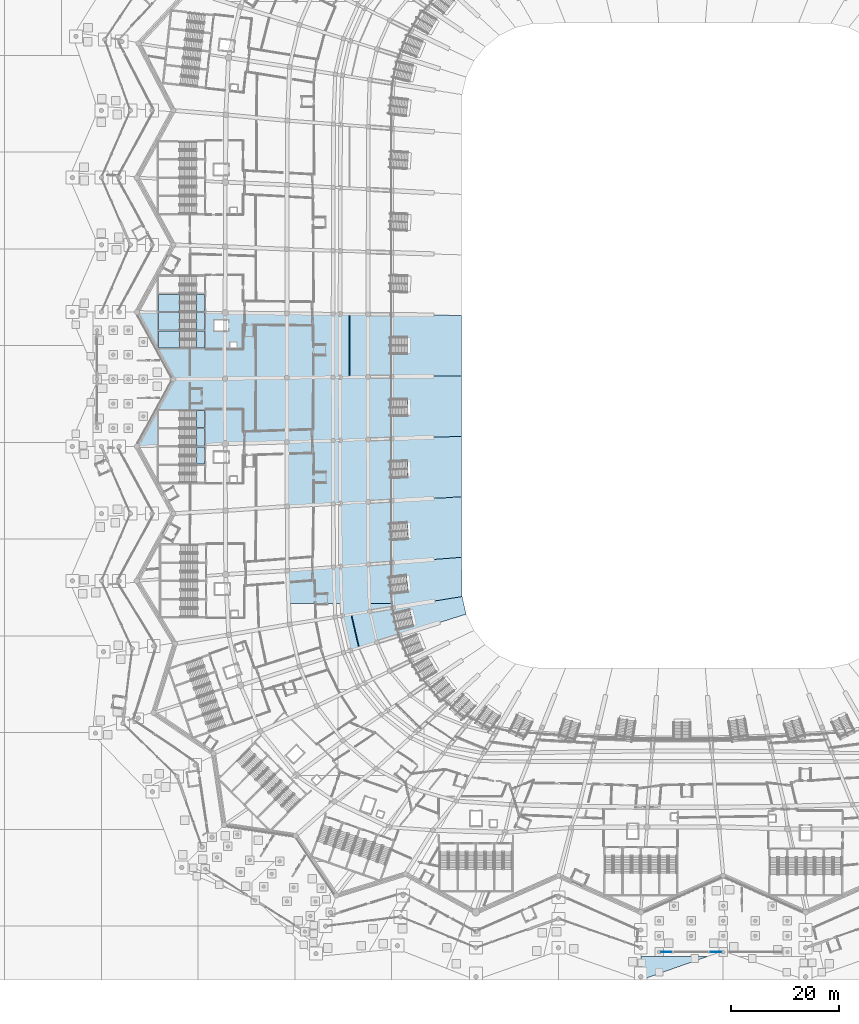
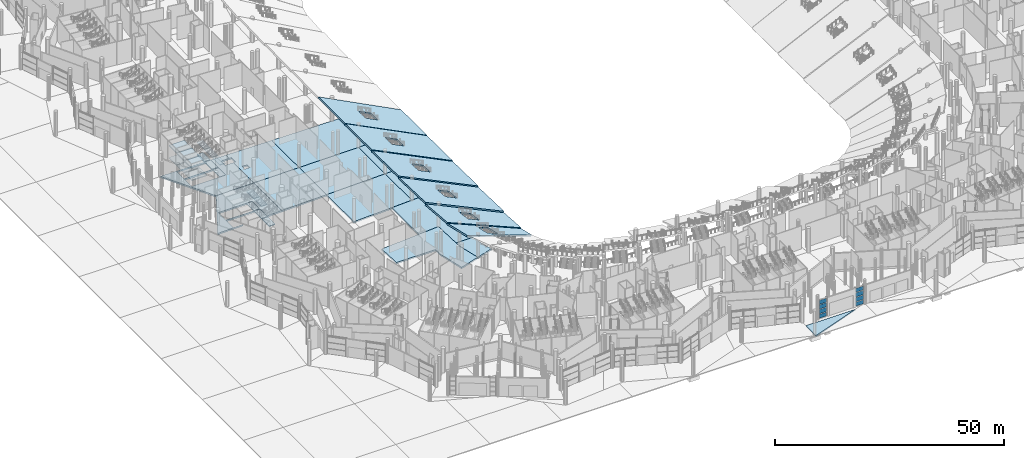
# One storey, part 76 of 255: 36 slabs, 8 plates, 8 elements without a shape of their own.
"""IFC4 building model written with IfcOpenShell, lengths in metres."""

from ifc_helpers import new_model, si_unit, direction, frame, origin, origin_2d, place, context, subcontext, project, spatial, polyline, rectangle, outline, extrude, material, layer, layer_set, type_object, element, aggregate, save


model = new_model("IFC4")

# Units and contexts
model_context = context("Model", 3, precision=1e-05, world=origin(), true_north=direction((0.0, 1.0)))
body_context = subcontext(model_context, "Body", "Model", "MODEL_VIEW")
ifc_project = project(units=[si_unit("LENGTHUNIT", "METRE"), si_unit("AREAUNIT", "SQUARE_METRE"), si_unit("VOLUMEUNIT", "CUBIC_METRE"), si_unit("PLANEANGLEUNIT", "RADIAN"), si_unit("MASSUNIT", "GRAM", prefix="KILO")], contexts=[model_context])

# Site, building, storey
site_placement = place(None, origin())
site = spatial("IfcSite", under=ifc_project, at=site_placement, CompositionType="ELEMENT")
building_placement = place(site_placement, origin())
building = spatial("IfcBuilding", under=site, at=building_placement, Name="Meseta Stadium", CompositionType="ELEMENT")
storey_placement = place(building_placement, origin())
storey = spatial("IfcBuildingStorey", under=building, at=storey_placement, Name="L00", CompositionType="ELEMENT", Elevation=0.0)

# Slabs
ifc_material_1 = material(Name="Concrete C40/50", Category="concrete")
ifc_layer_1 = layer(ifc_material_1, 0.39990234375)
ifc_layer_set_1 = layer_set([ifc_layer_1], Name="Floor slab 400")
slab_type_1 = type_object("IfcSlabType", Name="Floor slab 400", PredefinedType="FLOOR", material=ifc_layer_set_1)
slab_1_placement = place(storey_placement, frame((0.0, 0.0, -0.39990234375)))
element("IfcSlab", 1, at=slab_1_placement, inside=storey, type_object=slab_type_1, Name="Floor slab L00 sector 28 panel 01", PredefinedType="FLOOR", context=body_context, shape_type="SweptSolid", body=[
    extrude(outline(polyline([(-88.8798828125, 6.14990234375), (-101.3798828125, 6.287109375), (-101.39990234375, 6.25), (-94.6201171875, -6.212890625), (-84.9970703125, -6.107421875), (-84.997314453125, 2.800048828125), (-87.0, 2.800048828125), (-87.0, 4.699951171875), (-84.99755859375, 4.699951171875), (-84.99755859375, 6.107421875), (-88.800048828125, 6.149169921875), (-88.800048828125, 2.949951171875), (-97.39990234375, 2.949951171875), (-97.39990234375, 6.14990234375), (-88.8798828125, 6.14990234375)]), holes=[polyline([(-88.800048828125, 2.75), (-88.800048828125, -0.449951171875), (-97.39990234375, -0.449951171875), (-97.39990234375, 2.75), (-88.800048828125, 2.75)])]), origin(), (0.0, 0.0, 1.0), 0.39990234375),
])
slab_2_placement = place(storey_placement, frame((0.0, 0.0, -0.39990234375)))
element("IfcSlab", 2, at=slab_2_placement, inside=storey, type_object=slab_type_1, Name="Floor slab L00 sector 28 panel 05", PredefinedType="FLOOR", context=body_context, shape_type="SweptSolid", body=[
    extrude(outline(polyline([(-84.9970703125, -6.107421875), (-94.6201171875, -6.212890625), (-94.60009765625, -6.25), (-101.39990234375, -18.75), (-101.340087890625, -18.85986328125), (-94.9599609375, -18.64990234375), (-97.39990234375, -18.64990234375), (-97.39990234375, -15.449951171875), (-88.800048828125, -15.449951171875), (-88.800048828125, -18.447509765625), (-84.978515625, -18.32177734375), (-84.9970703125, -6.107421875)]), holes=[polyline([(-88.800048828125, -12.050048828125), (-88.800048828125, -15.25), (-97.39990234375, -15.25), (-97.39990234375, -12.050048828125), (-88.800048828125, -12.050048828125)])]), origin(), (0.0, 0.0, 1.0), 0.39990234375),
])
slab_3_placement = place(storey_placement, frame((0.0, 0.0, -0.39990234375)))
element("IfcSlab", 3, at=slab_3_placement, inside=storey, type_object=slab_type_1, Name="Floor slab L00 sector 28 panel 09", PredefinedType="FLOOR", context=body_context, shape_type="SweptSolid", body=[
    extrude(outline(polyline([(-84.978271484375, -18.32177734375), (-73.482421875, -17.943603515625), (-73.498046875, -5.981201171875), (-84.9970703125, -6.107421875), (-84.978271484375, -18.32177734375)])), origin(), (0.0, 0.0, 1.0), 0.39990234375),
])
slab_4_placement = place(storey_placement, frame((0.0, 0.0, -0.39990234375)))
element("IfcSlab", 4, at=slab_4_placement, inside=storey, type_object=slab_type_1, Name="Floor slab L00 sector 28 panel 11", PredefinedType="FLOOR", context=body_context, shape_type="SweptSolid", body=[
    extrude(outline(polyline([(-73.498046875, 5.981201171875), (-84.99755859375, 6.107421875), (-84.99755859375, 4.699951171875), (-84.39990234375, 4.699951171875), (-84.39990234375, 2.800048828125), (-84.997314453125, 2.800048828125), (-84.9970703125, -6.107421875), (-73.498046875, -5.981201171875), (-73.498046875, 5.981201171875)]), holes=[polyline([(-82.85009765625, -0.60009765625), (-84.050048828125, -0.60009765625), (-84.050048828125, 0.60009765625), (-82.85009765625, 0.60009765625), (-82.85009765625, -0.60009765625)])]), origin(), (0.0, 0.0, 1.0), 0.39990234375),
])
slab_5_placement = place(storey_placement, frame((0.0, 0.0, -0.39990234375)))
element("IfcSlab", 5, at=slab_5_placement, inside=storey, type_object=slab_type_1, Name="Floor slab L00 sector 28 panel 15", PredefinedType="FLOOR", context=body_context, shape_type="SweptSolid", body=[
    extrude(outline(polyline([(-73.498046875, -5.981201171875), (-73.482421875, -17.943603515625), (-58.390625, -17.447021484375), (-58.39892578125, -5.81591796875), (-73.498046875, -5.981201171875)])), origin(), (0.0, 0.0, 1.0), 0.39990234375),
])
slab_6_placement = place(storey_placement, frame((0.0, 0.0, -0.39990234375)))
element("IfcSlab", 6, at=slab_6_placement, inside=storey, type_object=slab_type_1, Name="Floor slab L00 sector 28 panel 17", PredefinedType="FLOOR", context=body_context, shape_type="SweptSolid", body=[
    extrude(outline(polyline([(-58.390625, -17.447021484375), (-73.482421875, -17.943603515625), (-73.451416015625, -29.89404296875), (-58.373779296875, -29.0673828125), (-58.390625, -17.447021484375)])), origin(), (0.0, 0.0, 1.0), 0.39990234375),
])
slab_7_placement = place(storey_placement, frame((0.0, 0.0, -0.39990234375)))
element("IfcSlab", 7, at=slab_7_placement, inside=storey, type_object=slab_type_1, Name="Floor slab L00 sector 28 panel 20", PredefinedType="FLOOR", context=body_context, shape_type="SweptSolid", body=[
    extrude(outline(polyline([(-53.999267578125, 5.767578125), (-73.498046875, 5.981201171875), (-73.498046875, -5.981201171875), (-53.999267578125, -5.767578125), (-53.999267578125, 5.767578125)])), origin(), (0.0, 0.0, 1.0), 0.39990234375),
])
slab_8_placement = place(storey_placement, frame((0.0, 0.0, -0.39990234375)))
element("IfcSlab", 8, at=slab_8_placement, inside=storey, type_object=slab_type_1, Name="Floor slab L00 sector 28 panel 22", PredefinedType="FLOOR", context=body_context, shape_type="SweptSolid", body=[
    extrude(outline(polyline([(-53.992919921875, -17.302490234375), (-53.999267578125, -5.767578125), (-58.39892578125, -5.81591796875), (-58.390625, -17.447021484375), (-53.992919921875, -17.302490234375)])), origin(), (0.0, 0.0, 1.0), 0.39990234375),
])
slab_9_placement = place(storey_placement, frame((0.0, 0.0, -0.39990234375)))
element("IfcSlab", 9, at=slab_9_placement, inside=storey, type_object=slab_type_1, Name="Floor slab L00 sector 28 panel 24", PredefinedType="FLOOR", context=body_context, shape_type="SweptSolid", body=[
    extrude(outline(polyline([(-58.373779296875, -29.0673828125), (-53.98046875, -28.82666015625), (-53.992919921875, -17.302490234375), (-58.390625, -17.447021484375), (-58.373779296875, -29.0673828125)])), origin(), (0.0, 0.0, 1.0), 0.39990234375),
])
slab_10_placement = place(storey_placement, frame((0.0, 0.0, -0.39990234375)))
element("IfcSlab", 10, at=slab_10_placement, inside=storey, type_object=slab_type_1, Name="Floor slab L00 sector 35 panel 15", PredefinedType="FLOOR", context=body_context, shape_type="SweptSolid", body=[
    extrude(outline(polyline([(-73.151123046875, -48.0), (-63.29638671875, -48.0), (-63.21826171875, -50.27294921875), (-61.72314453125, -56.715576171875), (-56.76123046875, -55.159912109375), (-58.084228515625, -49.4462890625), (-58.34912109375, -40.70654296875), (-73.40478515625, -41.8623046875), (-73.151123046875, -48.0)])), origin(), (0.0, 0.0, 1.0), 0.39990234375),
])
slab_11_placement = place(storey_placement, frame((0.0, 0.0, -0.39990234375)))
element("IfcSlab", 11, at=slab_11_placement, inside=storey, type_object=slab_type_1, Name="Floor slab L00 sector 35 panel 16", PredefinedType="FLOOR", context=body_context, shape_type="SweptSolid", body=[
    extrude(outline(polyline([(-53.9501953125, -46.135986328125), (-53.9619140625, -40.369873046875), (-53.98046875, -28.8466796875), (-63.566162109375, -29.372314453125), (-63.53369140625, -41.1044921875), (-58.34912109375, -40.70654296875), (-58.128173828125, -48.0), (-53.824951171875, -48.0), (-53.838623046875, -47.87890625), (-53.90869140625, -47.00830078125), (-53.9501953125, -46.135986328125)])), origin(), (0.0, 0.0, 1.0), 0.39990234375),
])
slab_12_placement = place(storey_placement, frame((0.0, 0.0, -0.39990234375)))
element("IfcSlab", 12, at=slab_12_placement, inside=storey, type_object=slab_type_1, Name="Floor slab L00 sector 35 panel 19", PredefinedType="FLOOR", context=body_context, shape_type="SweptSolid", body=[
    extrude(outline(polyline([(-53.824951171875, -48.0), (-58.128173828125, -48.0), (-58.084228515625, -49.4462890625), (-56.76123046875, -55.159912109375), (-52.562744140625, -53.843505859375), (-52.827880859375, -53.011474609375), (-53.06591796875, -52.17138671875), (-53.2763671875, -51.32373046875), (-53.458984375, -50.469970703125), (-53.61376953125, -49.610595703125), (-53.740234375, -48.74658203125), (-53.824951171875, -48.0)])), origin(), (0.0, 0.0, 1.0), 0.39990234375),
])
ifc_material_2 = material(Name="Concrete C40/50", Category="concrete")
ifc_layer_2 = layer(ifc_material_2, 0.300048828125)
ifc_layer_set_2 = layer_set([ifc_layer_2], Name="Gate court paving 300")
slab_type_2 = type_object("IfcSlabType", Name="Gate court paving 300", PredefinedType="FLOOR", material=ifc_layer_set_2)
slab_13_placement = place(storey_placement, frame((0.0, 0.0, -0.300048828125)))
element("IfcSlab", 13, at=slab_13_placement, inside=storey, type_object=slab_type_2, Name="Gate 7 court paving", PredefinedType="FLOOR", context=body_context, shape_type="SweptSolid", body=[
    extrude(outline(polyline([(-7.666748046875, -113.60009765625), (-7.666748046875, -118.0), (7.666748046875, -112.60009765625), (4.8271484375, -113.60009765625), (-7.666748046875, -113.60009765625)])), origin(), (0.0, 0.0, 1.0), 0.300048828125),
])

# Curtain wall, plates
ifc_material_3 = material(Name="Aluminium", Category="aluminium")
ifc_layer_3 = layer(ifc_material_3, 0.199951171875)
ifc_layer_set_3 = layer_set([ifc_layer_3], Name="Gate hall curtain wall")
curtain_wall_type = type_object("IfcCurtainWallType", Name="Gate hall curtain wall", PredefinedType="NOTDEFINED", material=ifc_layer_set_3)
curtain_wall_1_placement = place(storey_placement, origin())
curtain_wall_1 = element("IfcCurtainWall", 14, at=curtain_wall_1_placement, inside=storey, type_object=curtain_wall_type, Name="Gate 7 glazing", PredefinedType="NOTDEFINED")
ifc_material_4 = material(Name="Glass", Category="glass")
ifc_layer_4 = layer(ifc_material_4, 0.035888671875)
ifc_layer_set_4 = layer_set([ifc_layer_4], Name="Ring CW glass panel 36")
plate_type = type_object("IfcPlateType", Name="Ring CW glass panel 36", PredefinedType="CURTAIN_PANEL", material=ifc_layer_set_4)
plate_1_placement = place(storey_placement, frame((-2.933349609375, -112.800048828125, 0.14990234375), z_axis=(0.0, 0.0, 1.0), x_axis=(1.0, 0.0, 0.0)))
plate_1 = element("IfcPlate", 15, at=plate_1_placement, type_object=plate_type, Name="CWG1 panel 1.1", PredefinedType="CURTAIN_PANEL", context=body_context, shape_type="SweptSolid", body=[
    extrude(rectangle(XDim=1.94677734375, YDim=0.035888671875, at=origin_2d()), origin(), (0.0, 0.0, 1.0), 1.03759765625),
])
plate_2_placement = place(storey_placement, frame((-2.933349609375, -112.800048828125, 1.33740234375), z_axis=(0.0, 0.0, 1.0), x_axis=(1.0, 0.0, 0.0)))
plate_2 = element("IfcPlate", 16, at=plate_2_placement, type_object=plate_type, Name="CWG1 panel 1.2", PredefinedType="CURTAIN_PANEL", context=body_context, shape_type="SweptSolid", body=[
    extrude(rectangle(XDim=1.94677734375, YDim=0.035888671875, at=origin_2d()), origin(), (0.0, 0.0, 1.0), 1.112548828125),
])
plate_3_placement = place(storey_placement, frame((-2.933349609375, -112.800048828125, 2.60009765625), z_axis=(0.0, 0.0, 1.0), x_axis=(1.0, 0.0, 0.0)))
plate_3 = element("IfcPlate", 17, at=plate_3_placement, type_object=plate_type, Name="CWG1 panel 1.3", PredefinedType="CURTAIN_PANEL", context=body_context, shape_type="SweptSolid", body=[
    extrude(rectangle(XDim=1.94677734375, YDim=0.035888671875, at=origin_2d()), origin(), (0.0, 0.0, 1.0), 1.112548828125),
])
plate_4_placement = place(storey_placement, frame((-2.933349609375, -112.800048828125, 3.862548828125), z_axis=(0.0, 0.0, 1.0), x_axis=(1.0, 0.0, 0.0)))
plate_4 = element("IfcPlate", 18, at=plate_4_placement, type_object=plate_type, Name="CWG1 panel 1.4", PredefinedType="CURTAIN_PANEL", context=body_context, shape_type="SweptSolid", body=[
    extrude(rectangle(XDim=1.94677734375, YDim=0.035888671875, at=origin_2d()), origin(), (0.0, 0.0, 1.0), 1.03759765625),
])
aggregate(curtain_wall_1, [plate_1, plate_2, plate_3, plate_4])

curtain_wall_2_placement = place(storey_placement, origin())
curtain_wall_2 = element("IfcCurtainWall", 19, at=curtain_wall_2_placement, inside=storey, type_object=curtain_wall_type, Name="Gate 7 glazing", PredefinedType="NOTDEFINED")
plate_5_placement = place(storey_placement, frame((6.333251953125, -112.800048828125, 0.14990234375), z_axis=(0.0, 0.0, 1.0), x_axis=(1.0, 0.0, 0.0)))
plate_5 = element("IfcPlate", 20, at=plate_5_placement, type_object=plate_type, Name="CWG1 panel 1.1", PredefinedType="CURTAIN_PANEL", context=body_context, shape_type="SweptSolid", body=[
    extrude(rectangle(XDim=1.94677734375, YDim=0.035888671875, at=origin_2d()), origin(), (0.0, 0.0, 1.0), 1.03759765625),
])
plate_6_placement = place(storey_placement, frame((6.333251953125, -112.800048828125, 1.33740234375), z_axis=(0.0, 0.0, 1.0), x_axis=(1.0, 0.0, 0.0)))
plate_6 = element("IfcPlate", 21, at=plate_6_placement, type_object=plate_type, Name="CWG1 panel 1.2", PredefinedType="CURTAIN_PANEL", context=body_context, shape_type="SweptSolid", body=[
    extrude(rectangle(XDim=1.94677734375, YDim=0.035888671875, at=origin_2d()), origin(), (0.0, 0.0, 1.0), 1.112548828125),
])
plate_7_placement = place(storey_placement, frame((6.333251953125, -112.800048828125, 2.60009765625), z_axis=(0.0, 0.0, 1.0), x_axis=(1.0, 0.0, 0.0)))
plate_7 = element("IfcPlate", 22, at=plate_7_placement, type_object=plate_type, Name="CWG1 panel 1.3", PredefinedType="CURTAIN_PANEL", context=body_context, shape_type="SweptSolid", body=[
    extrude(rectangle(XDim=1.94677734375, YDim=0.035888671875, at=origin_2d()), origin(), (0.0, 0.0, 1.0), 1.112548828125),
])
plate_8_placement = place(storey_placement, frame((6.333251953125, -112.800048828125, 3.862548828125), z_axis=(0.0, 0.0, 1.0), x_axis=(1.0, 0.0, 0.0)))
plate_8 = element("IfcPlate", 23, at=plate_8_placement, type_object=plate_type, Name="CWG1 panel 1.4", PredefinedType="CURTAIN_PANEL", context=body_context, shape_type="SweptSolid", body=[
    extrude(rectangle(XDim=1.94677734375, YDim=0.035888671875, at=origin_2d()), origin(), (0.0, 0.0, 1.0), 1.03759765625),
])
aggregate(curtain_wall_2, [plate_5, plate_6, plate_7, plate_8])

# Slabs
ifc_material_5 = material(Name="Concrete C40/50", Category="concrete")
ifc_layer_5 = layer(ifc_material_5, 0.35009765625)
ifc_layer_set_5 = layer_set([ifc_layer_5], Name="Seating tier 350")
slab_type_3 = type_object("IfcSlabType", Name="Seating tier 350", PredefinedType="USERDEFINED", material=ifc_layer_set_5)
slab_14_placement = place(storey_placement, frame((-41.0, 5.625, -3.0), z_axis=(0.454330978881, 0.0, 0.890832959442), x_axis=(-0.890790474593, 0.00976626995, 0.454309311313)))
element("IfcSlab", 24, at=slab_14_placement, inside=storey, type_object=slab_type_3, Name="Stand lower tier bay 33", ObjectType="SEATING TIER", PredefinedType="USERDEFINED", context=body_context, shape_type="SweptSolid", body=[
    extrude(outline(polyline([(0.0, 0.0), (23.348458001735928, 3.469446951953614e-17), (23.234133511613948, 11.70549641227142), (-0.10987053693210802, 11.249463474544653), (0.0, 0.0)]), holes=[polyline([(11.296142578125, 4.235595703125), (14.66357421875, 4.268310546875), (14.63427734375, 7.268310546875), (11.266845703125, 7.2353515625), (11.296142578125, 4.235595703125)])]), origin(), (0.0, 0.0, -1.0), 0.35009765625),
])
slab_15_placement = place(storey_placement, frame((-41.0, -5.625, -3.06298828125), z_axis=(0.45421956364, 0.009970640844, 0.89083397686), x_axis=(-0.890791534692, -0.00976629322, 0.454307232209)))
element("IfcSlab", 25, at=slab_15_placement, inside=storey, type_object=slab_type_3, Name="Stand lower tier bay 34", ObjectType="SEATING TIER", PredefinedType="USERDEFINED", context=body_context, shape_type="SweptSolid", body=[
    extrude(outline(polyline([(0.0, 0.0), (23.348458001672338, -6.938893903907228e-18), (23.511313307201256, 11.705359634268083), (0.16710286215639603, 11.24946428612443), (0.0, 0.0)]), holes=[polyline([(11.4345703125, 4.2353515625), (14.802001953125, 4.2685546875), (14.77294921875, 7.268310546875), (11.405517578125, 7.2353515625), (11.4345703125, 4.2353515625)])]), origin(), (0.0, 0.0, -1.0), 0.35009765625),
])
slab_16_placement = place(storey_placement, frame((-41.0, -16.875, -3.125732421875), z_axis=(0.453891014423, 0.019912039152, 0.890834697193), x_axis=(-0.890364160483, -0.029288085177, 0.454305920932)))
element("IfcSlab", 26, at=slab_16_placement, inside=storey, type_object=slab_type_3, Name="Stand lower tier bay 35", ObjectType="SEATING TIER", PredefinedType="USERDEFINED", context=body_context, shape_type="SweptSolid", body=[
    extrude(outline(polyline([(0.0, 0.0), (23.348661672004773, -2.0816681711721685e-16), (23.787487059606125, 11.689305300561832), (0.44332884426037567, 11.234053224288441), (0.0, 0.0)]), holes=[polyline([(11.572998046875, 4.232666015625), (14.9404296875, 4.265625), (14.9111328125, 7.265380859375), (11.543701171875, 7.232421875), (11.572998046875, 4.232666015625)])]), origin(), (0.0, 0.0, -1.0), 0.35009765625),
])
slab_17_placement = place(storey_placement, frame((-41.0, -28.135009765625, -3.18798828125), z_axis=(0.453343607157, 0.029826871024, 0.890836646987), x_axis=(-0.889511737493, -0.04876842194, 0.454302223066)))
element("IfcSlab", 27, at=slab_17_placement, inside=storey, type_object=slab_type_3, Name="Stand lower tier bay 36", ObjectType="SEATING TIER", PredefinedType="USERDEFINED", context=body_context, shape_type="SweptSolid", body=[
    extrude(outline(polyline([(0.0, 0.0), (23.348485986893174, 6.938893903907228e-17), (24.063275333773365, 11.677355565262006), (0.7190744881472957, 11.223272889682608), (0.0, 0.0)]), holes=[polyline([(11.710205078125, 4.217041015625), (15.077880859375, 4.249755859375), (15.048583984375, 7.249755859375), (11.680908203125, 7.216796875), (11.710205078125, 4.217041015625)])]), origin(), (0.0, 0.0, -1.0), 0.35009765625),
])
slab_18_placement = place(storey_placement, frame((-41.0, -39.375, -3.19580078125), z_axis=(0.451153505285, 0.053602533381, 0.890835160445), x_axis=(-0.888381699053, -0.06818648166, 0.454013832947)))
element("IfcSlab", 28, at=slab_18_placement, inside=storey, type_object=slab_type_3, Name="Stand lower tier bay 37", ObjectType="SEATING TIER", PredefinedType="USERDEFINED", context=body_context, shape_type="SweptSolid", body=[
    extrude(outline(polyline([(0.0, 0.0), (23.344625138120243, -3.0531133177191805e-16), (23.87307687012094, 9.017978769192602), (0.592137255125688, 7.291536111855386), (0.0, 0.0)]), holes=[polyline([(11.89599609375, 2.57421875), (15.26123046875, 2.69921875), (15.150146484375, 5.697265625), (11.78466796875, 5.572265625), (11.89599609375, 2.57421875)])]), origin(), (0.0, 0.0, -1.0), 0.35009765625),
])
slab_19_placement = place(storey_placement, frame((-40.90576171875, -46.679443359375, -3.00634765625), z_axis=(0.442175663497, 0.104379424848, 0.890834226037), x_axis=(-0.879972188529, -0.141725889887, 0.453390250833)))
element("IfcSlab", 29, at=slab_19_placement, inside=storey, type_object=slab_type_3, Name="Stand lower tier bay 38", ObjectType="SEATING TIER", PredefinedType="USERDEFINED", context=body_context, shape_type="SweptSolid", body=[
    extrude(outline(polyline([(0.0, 0.0), (23.336447269208545, 5.551115123125783e-17), (22.956271429996466, 6.34309226121689), (-0.1879709929621686, 3.3536634106833003), (0.0, 0.0)]), holes=[polyline([(11.287109375, 0.90576171875), (14.64794921875, 1.121826171875), (14.455322265625, 4.115966796875), (11.094482421875, 3.899658203125), (11.287109375, 0.90576171875)])]), origin(), (0.0, 0.0, -1.0), 0.35009765625),
])

# Stair, slabs
ifc_material_6 = material(Name="Concrete C40/50", Category="concrete")
stair_type = type_object("IfcStairType", Name="Exit stair 4 flights 148 mm risers", PredefinedType="HALF_TURN_STAIR", material=ifc_material_6)
stair_1_placement = place(storey_placement, origin())
stair_1 = element("IfcStair", 30, at=stair_1_placement, inside=storey, type_object=stair_type, Name="ST66 L00", PredefinedType="HALF_TURN_STAIR")
ifc_material_7 = material(Name="Concrete C40/50", Category="concrete")
ifc_layer_6 = layer(ifc_material_7, 0.199951171875)
ifc_layer_set_6 = layer_set([ifc_layer_6], Name="Stair landing 200")
slab_type_4 = type_object("IfcSlabType", Name="Stair landing 200", PredefinedType="LANDING", material=ifc_layer_set_6)
slab_20_placement = place(storey_placement, frame((0.0, 0.0, 1.425048828125)))
slab_20 = element("IfcSlab", 31, at=slab_20_placement, type_object=slab_type_4, Name="ST66 L00 landing 1", PredefinedType="LANDING", context=body_context, shape_type="SweptSolid", body=[
    extrude(outline(polyline([(-93.489990234375, 9.550048828125), (-97.39990234375, 9.550048828125), (-97.39990234375, 6.35009765625), (-93.489990234375, 6.35009765625), (-93.489990234375, 9.550048828125)])), origin(), (0.0, 0.0, 1.0), 0.199951171875),
])
slab_21_placement = place(storey_placement, frame((0.0, 0.0, 3.050048828125)))
slab_21 = element("IfcSlab", 32, at=slab_21_placement, type_object=slab_type_4, Name="ST66 L00 landing 2", PredefinedType="LANDING", context=body_context, shape_type="SweptSolid", body=[
    extrude(outline(polyline([(-88.800048828125, 9.550048828125), (-90.31005859375, 9.550048828125), (-90.31005859375, 6.35009765625), (-88.800048828125, 6.35009765625), (-88.800048828125, 9.550048828125)])), origin(), (0.0, 0.0, 1.0), 0.199951171875),
])
slab_22_placement = place(storey_placement, frame((0.0, 0.0, 4.675048828125)))
slab_22 = element("IfcSlab", 33, at=slab_22_placement, type_object=slab_type_4, Name="ST66 L00 landing 3", PredefinedType="LANDING", context=body_context, shape_type="SweptSolid", body=[
    extrude(outline(polyline([(-93.489990234375, 9.550048828125), (-97.39990234375, 9.550048828125), (-97.39990234375, 6.35009765625), (-93.489990234375, 6.35009765625), (-93.489990234375, 9.550048828125)])), origin(), (0.0, 0.0, 1.0), 0.199951171875),
])
slab_23_placement = place(storey_placement, frame((0.0, 0.0, -0.199951171875)))
slab_23 = element("IfcSlab", 34, at=slab_23_placement, type_object=slab_type_4, Name="ST66 L00 landing 4", PredefinedType="LANDING", context=body_context, shape_type="SweptSolid", body=[
    extrude(outline(polyline([(-88.800048828125, 9.550048828125), (-90.31005859375, 9.550048828125), (-90.31005859375, 6.35009765625), (-88.800048828125, 6.35009765625), (-88.800048828125, 9.550048828125)])), origin(), (0.0, 0.0, 1.0), 0.199951171875),
])
aggregate(stair_1, [slab_20, slab_21, slab_22, slab_23])

stair_2_placement = place(storey_placement, origin())
stair_2 = element("IfcStair", 35, at=stair_2_placement, inside=storey, type_object=stair_type, Name="ST67 L00", PredefinedType="HALF_TURN_STAIR")
slab_24_placement = place(storey_placement, frame((0.0, 0.0, 1.425048828125)))
slab_24 = element("IfcSlab", 36, at=slab_24_placement, type_object=slab_type_4, Name="ST67 L00 landing 1", PredefinedType="LANDING", context=body_context, shape_type="SweptSolid", body=[
    extrude(outline(polyline([(-93.489990234375, 6.14990234375), (-97.39990234375, 6.14990234375), (-97.39990234375, 2.949951171875), (-93.489990234375, 2.949951171875), (-93.489990234375, 6.14990234375)])), origin(), (0.0, 0.0, 1.0), 0.199951171875),
])
slab_25_placement = place(storey_placement, frame((0.0, 0.0, 3.050048828125)))
slab_25 = element("IfcSlab", 37, at=slab_25_placement, type_object=slab_type_4, Name="ST67 L00 landing 2", PredefinedType="LANDING", context=body_context, shape_type="SweptSolid", body=[
    extrude(outline(polyline([(-88.800048828125, 6.14990234375), (-90.31005859375, 6.14990234375), (-90.31005859375, 2.949951171875), (-88.800048828125, 2.949951171875), (-88.800048828125, 6.14990234375)])), origin(), (0.0, 0.0, 1.0), 0.199951171875),
])
slab_26_placement = place(storey_placement, frame((0.0, 0.0, 4.675048828125)))
slab_26 = element("IfcSlab", 38, at=slab_26_placement, type_object=slab_type_4, Name="ST67 L00 landing 3", PredefinedType="LANDING", context=body_context, shape_type="SweptSolid", body=[
    extrude(outline(polyline([(-93.489990234375, 6.14990234375), (-97.39990234375, 6.14990234375), (-97.39990234375, 2.949951171875), (-93.489990234375, 2.949951171875), (-93.489990234375, 6.14990234375)])), origin(), (0.0, 0.0, 1.0), 0.199951171875),
])
slab_27_placement = place(storey_placement, frame((0.0, 0.0, -0.199951171875)))
slab_27 = element("IfcSlab", 39, at=slab_27_placement, type_object=slab_type_4, Name="ST67 L00 landing 4", PredefinedType="LANDING", context=body_context, shape_type="SweptSolid", body=[
    extrude(outline(polyline([(-88.800048828125, 6.14990234375), (-90.31005859375, 6.14990234375), (-90.31005859375, 2.949951171875), (-88.800048828125, 2.949951171875), (-88.800048828125, 6.14990234375)])), origin(), (0.0, 0.0, 1.0), 0.199951171875),
])
aggregate(stair_2, [slab_24, slab_25, slab_26, slab_27])

stair_3_placement = place(storey_placement, origin())
stair_3 = element("IfcStair", 40, at=stair_3_placement, inside=storey, type_object=stair_type, Name="ST68 L00", PredefinedType="HALF_TURN_STAIR")
slab_28_placement = place(storey_placement, frame((0.0, 0.0, 1.425048828125)))
slab_28 = element("IfcSlab", 41, at=slab_28_placement, type_object=slab_type_4, Name="ST68 L00 landing 1", PredefinedType="LANDING", context=body_context, shape_type="SweptSolid", body=[
    extrude(outline(polyline([(-93.489990234375, 2.75), (-97.39990234375, 2.75), (-97.39990234375, -0.449951171875), (-93.489990234375, -0.449951171875), (-93.489990234375, 2.75)])), origin(), (0.0, 0.0, 1.0), 0.199951171875),
])
slab_29_placement = place(storey_placement, frame((0.0, 0.0, 3.050048828125)))
slab_29 = element("IfcSlab", 42, at=slab_29_placement, type_object=slab_type_4, Name="ST68 L00 landing 2", PredefinedType="LANDING", context=body_context, shape_type="SweptSolid", body=[
    extrude(outline(polyline([(-88.800048828125, 2.75), (-90.31005859375, 2.75), (-90.31005859375, -0.449951171875), (-88.800048828125, -0.449951171875), (-88.800048828125, 2.75)])), origin(), (0.0, 0.0, 1.0), 0.199951171875),
])
slab_30_placement = place(storey_placement, frame((0.0, 0.0, 4.675048828125)))
slab_30 = element("IfcSlab", 43, at=slab_30_placement, type_object=slab_type_4, Name="ST68 L00 landing 3", PredefinedType="LANDING", context=body_context, shape_type="SweptSolid", body=[
    extrude(outline(polyline([(-93.489990234375, 2.75), (-97.39990234375, 2.75), (-97.39990234375, -0.449951171875), (-93.489990234375, -0.449951171875), (-93.489990234375, 2.75)])), origin(), (0.0, 0.0, 1.0), 0.199951171875),
])
slab_31_placement = place(storey_placement, frame((0.0, 0.0, -0.199951171875)))
slab_31 = element("IfcSlab", 44, at=slab_31_placement, type_object=slab_type_4, Name="ST68 L00 landing 4", PredefinedType="LANDING", context=body_context, shape_type="SweptSolid", body=[
    extrude(outline(polyline([(-88.800048828125, 2.75), (-90.31005859375, 2.75), (-90.31005859375, -0.449951171875), (-88.800048828125, -0.449951171875), (-88.800048828125, 2.75)])), origin(), (0.0, 0.0, 1.0), 0.199951171875),
])
aggregate(stair_3, [slab_28, slab_29, slab_30, slab_31])

stair_4_placement = place(storey_placement, origin())
stair_4 = element("IfcStair", 45, at=stair_4_placement, inside=storey, type_object=stair_type, Name="ST69 L00", PredefinedType="HALF_TURN_STAIR")
slab_32_placement = place(storey_placement, frame((0.0, 0.0, 3.050048828125)))
slab_32 = element("IfcSlab", 46, at=slab_32_placement, type_object=slab_type_4, Name="ST69 L00 landing 2", PredefinedType="LANDING", context=body_context, shape_type="SweptSolid", body=[
    extrude(outline(polyline([(-88.800048828125, -12.050048828125), (-90.31005859375, -12.050048828125), (-90.31005859375, -15.25), (-88.800048828125, -15.25), (-88.800048828125, -12.050048828125)])), origin(), (0.0, 0.0, 1.0), 0.199951171875),
])
slab_33_placement = place(storey_placement, frame((0.0, 0.0, -0.199951171875)))
slab_33 = element("IfcSlab", 47, at=slab_33_placement, type_object=slab_type_4, Name="ST69 L00 landing 4", PredefinedType="LANDING", context=body_context, shape_type="SweptSolid", body=[
    extrude(outline(polyline([(-88.800048828125, -12.050048828125), (-90.31005859375, -12.050048828125), (-90.31005859375, -15.25), (-88.800048828125, -15.25), (-88.800048828125, -12.050048828125)])), origin(), (0.0, 0.0, 1.0), 0.199951171875),
])
aggregate(stair_4, [slab_32, slab_33])

stair_5_placement = place(storey_placement, origin())
stair_5 = element("IfcStair", 48, at=stair_5_placement, inside=storey, type_object=stair_type, Name="ST70 L00", PredefinedType="HALF_TURN_STAIR")
slab_34_placement = place(storey_placement, frame((0.0, 0.0, 3.050048828125)))
slab_34 = element("IfcSlab", 49, at=slab_34_placement, type_object=slab_type_4, Name="ST70 L00 landing 2", PredefinedType="LANDING", context=body_context, shape_type="SweptSolid", body=[
    extrude(outline(polyline([(-88.800048828125, -15.449951171875), (-90.31005859375, -15.449951171875), (-90.31005859375, -18.64990234375), (-88.800048828125, -18.64990234375), (-88.800048828125, -15.449951171875)])), origin(), (0.0, 0.0, 1.0), 0.199951171875),
])
slab_35_placement = place(storey_placement, frame((0.0, 0.0, -0.199951171875)))
slab_35 = element("IfcSlab", 50, at=slab_35_placement, type_object=slab_type_4, Name="ST70 L00 landing 4", PredefinedType="LANDING", context=body_context, shape_type="SweptSolid", body=[
    extrude(outline(polyline([(-88.800048828125, -15.449951171875), (-90.31005859375, -15.449951171875), (-90.31005859375, -18.64990234375), (-88.800048828125, -18.64990234375), (-88.800048828125, -15.449951171875)])), origin(), (0.0, 0.0, 1.0), 0.199951171875),
])
aggregate(stair_5, [slab_34, slab_35])

# Stair, slab
stair_6_placement = place(storey_placement, origin())
stair_6 = element("IfcStair", 51, at=stair_6_placement, inside=storey, type_object=stair_type, Name="ST71 L00", PredefinedType="HALF_TURN_STAIR")
slab_36_placement = place(storey_placement, frame((0.0, 0.0, -0.199951171875)))
slab_36 = element("IfcSlab", 52, at=slab_36_placement, type_object=slab_type_4, Name="ST71 L00 landing 4", PredefinedType="LANDING", context=body_context, shape_type="SweptSolid", body=[
    extrude(outline(polyline([(-88.800048828125, -18.85009765625), (-90.31005859375, -18.85009765625), (-90.31005859375, -22.050048828125), (-88.800048828125, -22.050048828125), (-88.800048828125, -18.85009765625)])), origin(), (0.0, 0.0, 1.0), 0.199951171875),
])
aggregate(stair_6, [slab_36])

save(model, "model.ifc")
